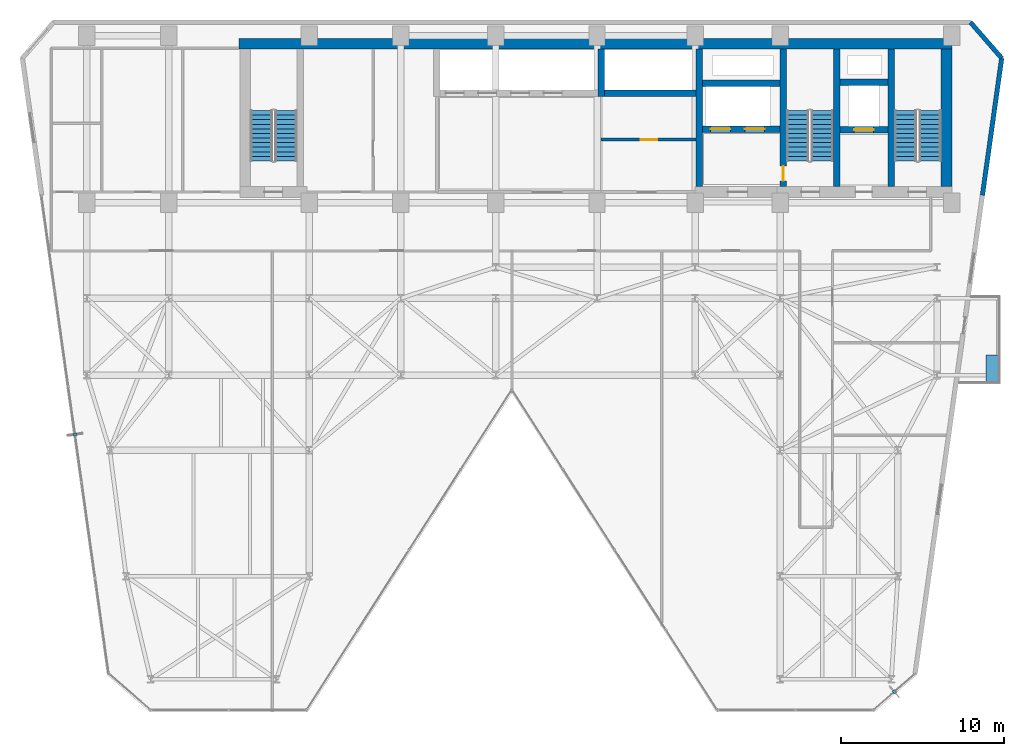
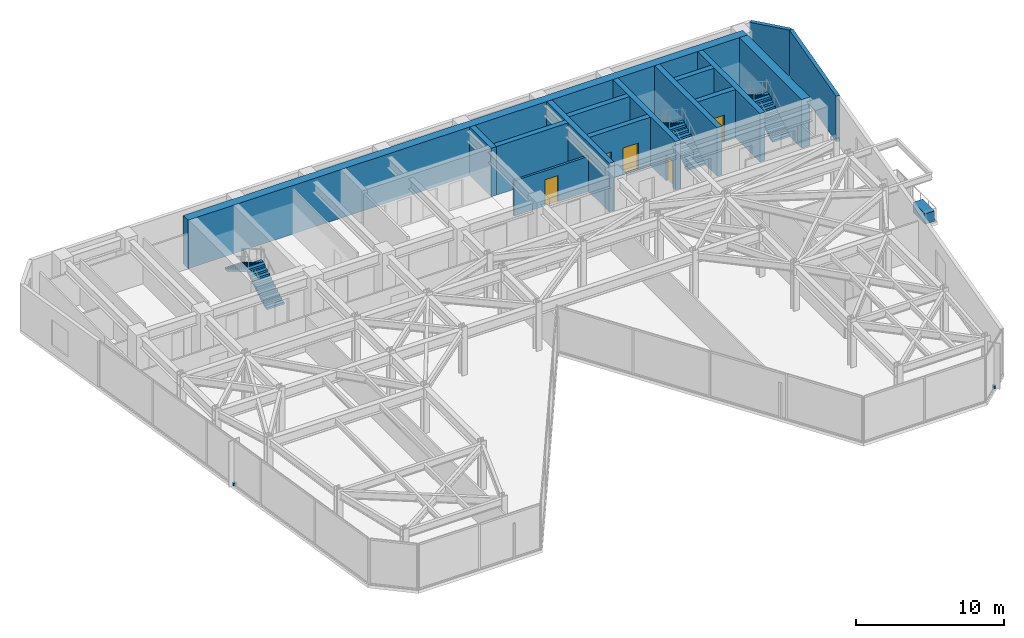
# One storey, part 23 of 26: 15 walls, 6 stair flights, 5 doors, 3 discrete accessories, 5 openings, 3 elements without a shape of their own.
"""IFC4 building model written with IfcOpenShell, lengths in metres."""

from ifc_helpers import new_model, si_unit, direction, frame, frame_2d, origin, origin_2d, place, context, subcontext, project, spatial, polyline, rectangle, outline, extrude, material, layer, layer_set, type_object, element, fill, aggregate, save


model = new_model("IFC4")

# Units and contexts
model_context = context("Model", 3, precision=1e-05, world=origin(), true_north=direction((0.0, 1.0)))
body_context = subcontext(model_context, "Body", "Model", "MODEL_VIEW")
ifc_project = project(units=[si_unit("LENGTHUNIT", "METRE"), si_unit("AREAUNIT", "SQUARE_METRE"), si_unit("VOLUMEUNIT", "CUBIC_METRE"), si_unit("PLANEANGLEUNIT", "RADIAN"), si_unit("MASSUNIT", "GRAM", prefix="KILO")], contexts=[model_context])

# Site, building, storey
site_placement = place(None, origin())
site = spatial("IfcSite", under=ifc_project, at=site_placement, CompositionType="ELEMENT")
building_placement = place(site_placement, origin())
building = spatial("IfcBuilding", under=site, at=building_placement, Name="Kravanh Interchange Tower", CompositionType="ELEMENT")
storey_placement = place(building_placement, frame((0.0, 0.0, 108.0)))
storey = spatial("IfcBuildingStorey", under=building, at=storey_placement, Name="L25", CompositionType="ELEMENT", Elevation=108.0)

# Walls
ifc_material_1 = material(Name="Concrete C70/85", Category="concrete")
ifc_layer_1 = layer(ifc_material_1, 0.64990234375)
ifc_layer_set_1 = layer_set([ifc_layer_1], Name="Core Shear Wall Concrete C70/85 650mm")
wall_type_1 = type_object("IfcWallType", Name="Core Shear Wall Concrete C70/85 650mm", PredefinedType="SHEAR", material=ifc_layer_set_1)
wall_1_placement = place(storey_placement, frame((22.89990234375, 47.074951171875, 0.0), z_axis=(0.0, 0.0, 1.0), x_axis=(1.0, 0.0, 0.0)))
element("IfcWall", 1, at=wall_1_placement, inside=storey, type_object=wall_type_1, Name="L25 North Core Shear Wall", PredefinedType="SHEAR", context=body_context, shape_type="SweptSolid", body=[
    extrude(rectangle(XDim=43.60009765625, YDim=0.64990234375, at=frame_2d((21.800048828125, 0.0))), origin(), (0.0, 0.0, 1.0), 4.0),
])
wall_2_placement = place(storey_placement, frame((66.175048828125, 38.324951171875, 0.0), z_axis=(0.0, 0.0, 1.0), x_axis=(0.0, 1.0, 0.0)))
element("IfcWall", 2, at=wall_2_placement, inside=storey, type_object=wall_type_1, Name="L25 Stair ST1 East Shear Wall", PredefinedType="SHEAR", context=body_context, shape_type="SweptSolid", body=[
    extrude(rectangle(XDim=8.425048828125, YDim=0.64990234375, at=frame_2d((4.21240234375, 0.0))), origin(), (0.0, 0.0, 1.0), 4.0),
])
ifc_material_2 = material(Name="Concrete C80/95", Category="concrete")
ifc_layer_2 = layer(ifc_material_2, 0.39990234375)
ifc_layer_set_2 = layer_set([ifc_layer_2], Name="Core Shear Wall Concrete C80/95 400mm")
wall_type_2 = type_object("IfcWallType", Name="Core Shear Wall Concrete C80/95 400mm", PredefinedType="SHEAR", material=ifc_layer_set_2)
for number, where, z_axis, x_axis, name in (
    (3, (62.800048828125, 38.324951171875, 0.0), (0.0, 0.0, 1.0), (0.0, 1.0, 0.0), "L25 Stair ST1 West Shear Wall"),
    (4, (59.449951171875, 38.324951171875, 0.0), (0.0, 0.0, 1.0), (0.0, 1.0, 0.0), "L25 Stair ST2 East Shear Wall"),
):
    element("IfcWall", number, at=place(storey_placement, frame(where, z_axis=z_axis, x_axis=x_axis)), inside=storey, type_object=wall_type_2, Name=name, PredefinedType="SHEAR", context=body_context, shape_type="SweptSolid", body=[
        extrude(rectangle(XDim=8.425048828125, YDim=0.39990234375, at=frame_2d((4.21240234375, 0.0))), origin(), (0.0, 0.0, 1.0), 4.0),
    ])

# Wall, opening, door
wall_3_placement = place(storey_placement, frame((56.199951171875, 38.324951171875, 0.0), z_axis=(0.0, 0.0, 1.0), x_axis=(0.0, 1.0, 0.0)))
wall_3 = element("IfcWall", 5, at=wall_3_placement, inside=storey, type_object=wall_type_2, Name="L25 Stair ST2 West Shear Wall", PredefinedType="SHEAR", context=body_context, shape_type="SweptSolid", body=[
    extrude(rectangle(XDim=8.425048828125, YDim=0.39990234375, at=frame_2d((4.21240234375, 0.0))), origin(), (0.0, 0.0, 1.0), 4.0),
])
opening_1_placement = place(wall_3_placement, frame((0.35498046875, 0.0, 0.0)))
opening_1 = element("IfcOpeningElement", 6, at=opening_1_placement, cuts=wall_3, Name="Opening D-STAIR-90", PredefinedType="OPENING", context=body_context, shape_type="SweptSolid", body=[
    extrude(rectangle(XDim=0.89990234375, YDim=2.14990234375, at=frame_2d((0.449951171875, 1.074951171875))), frame((0.0, 0.2099609375, 0.0), z_axis=(0.0, -1.0, 0.0), x_axis=(1.0, 0.0, 0.0)), (0.0, 0.0, 1.0), 0.419921875),
])
ifc_material_3 = material(Name="Structural Steel S355", Category="steel")
door_type_1 = type_object("IfcDoorType", Name="Fire-Rated Stair Lobby Door 900x2150", OperationType="NOTDEFINED", PredefinedType="DOOR", material=ifc_material_3)
door_1_placement = place(opening_1_placement, origin())
door_1 = element("IfcDoor", 7, at=door_1_placement, inside=storey, type_object=door_type_1, Name="L25 Firefighting Lobby to Stair ST2 Door", OperationType="SINGLE_SWING_LEFT", OverallHeight=2.14990234375, OverallWidth=0.89990234375, PredefinedType="DOOR", context=body_context, shape_type="SweptSolid", body=[
    extrude(rectangle(XDim=0.89990234375, YDim=2.14990234375, at=frame_2d((0.449951171875, 1.074951171875))), frame((0.0, 0.02490234375, 0.0), z_axis=(0.0, -1.0, 0.0), x_axis=(1.0, 0.0, 0.0)), (0.0, 0.0, 1.0), 0.050048828125),
])
fill(opening_1, door_1)

wall_4_placement = place(storey_placement, frame((59.64990234375, 41.800048828125, 0.0), z_axis=(0.0, 0.0, 1.0), x_axis=(1.0, 0.0, 0.0)))
wall_4 = element("IfcWall", 8, at=wall_4_placement, inside=storey, type_object=wall_type_2, Name="L25 Service Lift Shaft South Wall", PredefinedType="SHEAR", context=body_context, shape_type="SweptSolid", body=[
    extrude(rectangle(XDim=2.9501953125, YDim=0.39990234375, at=frame_2d((1.47509765625, 0.0))), origin(), (0.0, 0.0, 1.0), 4.0),
])
opening_2_placement = place(wall_4_placement, frame((0.8701171875, 0.0, 0.0)))
opening_2 = element("IfcOpeningElement", 9, at=opening_2_placement, cuts=wall_4, Name="Opening LD02", PredefinedType="OPENING", context=body_context, shape_type="SweptSolid", body=[
    extrude(rectangle(XDim=1.199951171875, YDim=2.199951171875, at=frame_2d((0.60009765625, 1.10009765625))), frame((0.0, 0.2099609375, 0.0), z_axis=(0.0, -1.0, 0.0), x_axis=(1.0, 0.0, 0.0)), (0.0, 0.0, 1.0), 0.419921875),
])
ifc_material_4 = material(Name="Stainless Steel 316", Category="steel")
door_type_2 = type_object("IfcDoorType", Name="Fire and Service Lift Sliding Landing Door 1200x2200", OperationType="DOUBLE_DOOR_SLIDING", PredefinedType="DOOR", material=ifc_material_4)
door_2_placement = place(opening_2_placement, origin())
door_2 = element("IfcDoor", 10, at=door_2_placement, inside=storey, type_object=door_type_2, Name="L25 Lift LS-01 Landing Door", OperationType="DOUBLE_DOOR_SLIDING", OverallHeight=2.199951171875, OverallWidth=1.199951171875, PredefinedType="DOOR", context=body_context, shape_type="SweptSolid", body=[
    extrude(rectangle(XDim=1.199951171875, YDim=2.199951171875, at=frame_2d((0.60009765625, 1.10009765625))), frame((0.0, 0.02490234375, 0.0), z_axis=(0.0, -1.0, 0.0), x_axis=(1.0, 0.0, 0.0)), (0.0, 0.0, 1.0), 0.050048828125),
])
fill(opening_2, door_2)

# Wall
wall_5_placement = place(storey_placement, frame((59.64990234375, 44.699951171875, 0.0), z_axis=(0.0, 0.0, 1.0), x_axis=(1.0, 0.0, 0.0)))
element("IfcWall", 11, at=wall_5_placement, inside=storey, type_object=wall_type_2, Name="L25 Service Lift Shaft North Wall", PredefinedType="SHEAR", context=body_context, shape_type="SweptSolid", body=[
    extrude(rectangle(XDim=2.9501953125, YDim=0.39990234375, at=frame_2d((1.47509765625, 0.0))), origin(), (0.0, 0.0, 1.0), 4.0),
])

# Wall, openings, doors
wall_6_placement = place(storey_placement, frame((51.25, 41.85009765625, 0.0), z_axis=(0.0, 0.0, 1.0), x_axis=(1.0, 0.0, 0.0)))
wall_6 = element("IfcWall", 12, at=wall_6_placement, inside=storey, type_object=wall_type_2, Name="L25 Fire Lift Shaft South Wall", PredefinedType="SHEAR", context=body_context, shape_type="SweptSolid", body=[
    extrude(rectangle(XDim=4.75, YDim=0.39990234375, at=frame_2d((2.375, 0.0))), origin(), (0.0, 0.0, 1.0), 4.0),
])
opening_3_placement = place(wall_6_placement, frame((0.5, 0.0, 0.0)))
opening_3 = element("IfcOpeningElement", 13, at=opening_3_placement, cuts=wall_6, Name="Opening LD02", PredefinedType="OPENING", context=body_context, shape_type="SweptSolid", body=[
    extrude(rectangle(XDim=1.199951171875, YDim=2.199951171875, at=frame_2d((0.60009765625, 1.10009765625))), frame((0.0, 0.2099609375, 0.0), z_axis=(0.0, -1.0, 0.0), x_axis=(1.0, 0.0, 0.0)), (0.0, 0.0, 1.0), 0.419921875),
])
opening_4_placement = place(wall_6_placement, frame((2.60009765625, 0.0, 0.0)))
opening_4 = element("IfcOpeningElement", 14, at=opening_4_placement, cuts=wall_6, Name="Opening LD02", PredefinedType="OPENING", context=body_context, shape_type="SweptSolid", body=[
    extrude(rectangle(XDim=1.199951171875, YDim=2.199951171875, at=frame_2d((0.60009765625, 1.10009765625))), frame((0.0, 0.2099609375, 0.0), z_axis=(0.0, -1.0, 0.0), x_axis=(1.0, 0.0, 0.0)), (0.0, 0.0, 1.0), 0.419921875),
])
door_3_placement = place(opening_3_placement, origin())
door_3 = element("IfcDoor", 15, at=door_3_placement, inside=storey, type_object=door_type_2, Name="L25 Lift FSAE-01 Landing Door", OperationType="DOUBLE_DOOR_SLIDING", OverallHeight=2.199951171875, OverallWidth=1.199951171875, PredefinedType="DOOR", context=body_context, shape_type="SweptSolid", body=[
    extrude(rectangle(XDim=1.199951171875, YDim=2.199951171875, at=frame_2d((0.60009765625, 1.10009765625))), frame((0.0, 0.02490234375, 0.0), z_axis=(0.0, -1.0, 0.0), x_axis=(1.0, 0.0, 0.0)), (0.0, 0.0, 1.0), 0.050048828125),
])
fill(opening_3, door_3)
door_4_placement = place(opening_4_placement, origin())
door_4 = element("IfcDoor", 16, at=door_4_placement, inside=storey, type_object=door_type_2, Name="L25 Lift FSAE-02 Landing Door", OperationType="DOUBLE_DOOR_SLIDING", OverallHeight=2.199951171875, OverallWidth=1.199951171875, PredefinedType="DOOR", context=body_context, shape_type="SweptSolid", body=[
    extrude(rectangle(XDim=1.199951171875, YDim=2.199951171875, at=frame_2d((0.60009765625, 1.10009765625))), frame((0.0, 0.02490234375, 0.0), z_axis=(0.0, -1.0, 0.0), x_axis=(1.0, 0.0, 0.0)), (0.0, 0.0, 1.0), 0.050048828125),
])
fill(opening_4, door_4)

# Walls
wall_7_placement = place(storey_placement, frame((51.25, 44.64990234375, 0.0), z_axis=(0.0, 0.0, 1.0), x_axis=(1.0, 0.0, 0.0)))
element("IfcWall", 17, at=wall_7_placement, inside=storey, type_object=wall_type_2, Name="L25 Fire Lift Shaft North Wall", PredefinedType="SHEAR", context=body_context, shape_type="SweptSolid", body=[
    extrude(rectangle(XDim=4.75, YDim=0.39990234375, at=frame_2d((2.375, 0.0))), origin(), (0.0, 0.0, 1.0), 4.0),
])
wall_8_placement = place(storey_placement, frame((51.050048828125, 38.324951171875, 0.0), z_axis=(0.0, 0.0, 1.0), x_axis=(0.0, 1.0, 0.0)))
element("IfcWall", 18, at=wall_8_placement, inside=storey, type_object=wall_type_2, Name="L25 Firefighting Lobby West Wall", PredefinedType="SHEAR", context=body_context, shape_type="SweptSolid", body=[
    extrude(rectangle(XDim=8.425048828125, YDim=0.39990234375, at=frame_2d((4.21240234375, 0.0))), origin(), (0.0, 0.0, 1.0), 4.0),
])
wall_9_placement = place(storey_placement, frame((45.25, 44.050048828125, 0.0), z_axis=(0.0, 0.0, 1.0), x_axis=(1.0, 0.0, 0.0)))
element("IfcWall", 19, at=wall_9_placement, inside=storey, type_object=wall_type_2, Name="L25 High-Rise Lift Shaft South Wall", PredefinedType="SHEAR", context=body_context, shape_type="SweptSolid", body=[
    extrude(rectangle(XDim=5.60009765625, YDim=0.39990234375, at=frame_2d((2.800048828125, 0.0))), origin(), (0.0, 0.0, 1.0), 4.0),
])
wall_10_placement = place(storey_placement, frame((45.050048828125, 43.85009765625, 0.0), z_axis=(0.0, 0.0, 1.0), x_axis=(0.0, 1.0, 0.0)))
element("IfcWall", 20, at=wall_10_placement, inside=storey, type_object=wall_type_2, Name="L25 High-Rise Lift Shaft West Wall", PredefinedType="SHEAR", context=body_context, shape_type="SweptSolid", body=[
    extrude(rectangle(XDim=2.89990234375, YDim=0.39990234375, at=frame_2d((1.449951171875, 0.0))), origin(), (0.0, 0.0, 1.0), 4.0),
])
ifc_material_5 = material(Name="Insulated Precast Concrete C40/50 with Bronze Cladding", Category="concrete")
ifc_layer_3 = layer(ifc_material_5, 0.280029296875)
ifc_layer_set_3 = layer_set([ifc_layer_3], Name="Exterior Insulated Concrete C40/50 Bronze Spandrel Wall 280mm")
wall_type_3 = type_object("IfcWallType", Name="Exterior Insulated Concrete C40/50 Bronze Spandrel Wall 280mm", PredefinedType="STANDARD", material=ifc_layer_set_3)
wall_11_placement = place(storey_placement, frame((67.645263671875, 48.3798828125, 0.0), z_axis=(0.0, 0.0, 1.0), x_axis=(0.656070644076, -0.754699483226, 0.0)))
element("IfcWall", 21, at=wall_11_placement, inside=storey, type_object=wall_type_3, Name="L25 Exterior Wall 4", PredefinedType="STANDARD", context=body_context, shape_type="SweptSolid", body=[
    extrude(rectangle(XDim=2.908447265625, YDim=0.280029296875, at=frame_2d((1.4541015625, 0.0))), origin(), (0.0, 0.0, 1.0), 3.75),
])
wall_12_placement = place(storey_placement, frame((69.553466796875, 46.184814453125, 0.0), z_axis=(0.0, 0.0, 1.0), x_axis=(-0.139180610108, -0.990267013371, 0.0)))
element("IfcWall", 22, at=wall_12_placement, inside=storey, type_object=wall_type_3, Name="L25 Exterior Wall 5", PredefinedType="STANDARD", context=body_context, shape_type="SweptSolid", body=[
    extrude(rectangle(XDim=8.46728515625, YDim=0.280029296875, at=frame_2d((4.233642578125, 0.0))), origin(), (0.0, 0.0, 1.0), 3.75),
])

# Wall, opening, door
ifc_material_6 = material(Name="Autoclaved Aerated Concrete C30/37 Blockwork", Category="masonry")
ifc_layer_4 = layer(ifc_material_6, 0.179931640625)
ifc_layer_set_4 = layer_set([ifc_layer_4], Name="Fire-Rated Lobby and Corridor Wall Concrete C30/37 180mm")
wall_type_4 = type_object("IfcWallType", Name="Fire-Rated Lobby and Corridor Wall Concrete C30/37 180mm", PredefinedType="STANDARD", material=ifc_layer_set_4)
wall_13_placement = place(storey_placement, frame((45.050048828125, 41.199951171875, 0.0), z_axis=(0.0, 0.0, 1.0), x_axis=(1.0, 0.0, 0.0)))
wall_13 = element("IfcWall", 23, at=wall_13_placement, inside=storey, type_object=wall_type_4, Name="L25 Interior Partition 2", PredefinedType="STANDARD", context=body_context, shape_type="SweptSolid", body=[
    extrude(rectangle(XDim=5.7919921875, YDim=0.179931640625, at=frame_2d((2.89599609375, 0.0))), origin(), (0.0, 0.0, 1.0), 2.89404296875),
])
opening_5_placement = place(wall_13_placement, frame((2.425048828125, 0.0, 0.0)))
opening_5 = element("IfcOpeningElement", 24, at=opening_5_placement, cuts=wall_13, Name="Opening D-HOTEL-100", PredefinedType="OPENING", context=body_context, shape_type="SweptSolid", body=[
    extrude(rectangle(XDim=1.0, YDim=2.14990234375, at=frame_2d((0.5, 1.074951171875))), frame((0.0, 0.10009765625, 0.0), z_axis=(0.0, -1.0, 0.0), x_axis=(1.0, 0.0, 0.0)), (0.0, 0.0, 1.0), 0.199951171875),
])
ifc_material_7 = material(Name="Fire-Rated Solid Timber Leaf", Category="wood")
door_type_3 = type_object("IfcDoorType", Name="Fire-Rated Suite Entrance Door 1000x2150", OperationType="NOTDEFINED", PredefinedType="DOOR", material=ifc_material_7)
door_5_placement = place(opening_5_placement, origin())
door_5 = element("IfcDoor", 25, at=door_5_placement, inside=storey, type_object=door_type_3, Name="L25 Core Telecom Inner Door", OperationType="SINGLE_SWING_RIGHT", OverallHeight=2.14990234375, OverallWidth=1.0, PredefinedType="DOOR", context=body_context, shape_type="SweptSolid", body=[
    extrude(rectangle(XDim=1.0, YDim=2.14990234375, at=frame_2d((0.5, 1.074951171875))), frame((0.0, 0.02490234375, 0.0), z_axis=(0.0, -1.0, 0.0), x_axis=(1.0, 0.0, 0.0)), (0.0, 0.0, 1.0), 0.050048828125),
])
fill(opening_5, door_5)

# Stair, stair flights
ifc_material_8 = material(Name="Concrete C50/60", Category="concrete")
stair_type = type_object("IfcStairType", Name="Core Fire Exit Dogleg Stair Concrete C50/60", PredefinedType="HALF_TURN_STAIR", material=ifc_material_8)
stair_1_placement = place(storey_placement, origin())
stair_1 = element("IfcStair", 26, at=stair_1_placement, inside=storey, type_object=stair_type, Name="L25 Exit Stair ST1", PredefinedType="HALF_TURN_STAIR")
ifc_material_9 = material(Name="Precast Concrete C50/60", Category="concrete")
ifc_layer_5 = layer(ifc_material_9, 0.199951171875)
ifc_layer_set_5 = layer_set([ifc_layer_5], Name="Precast Concrete C50/60 Stair Flight 1350mm")
stair_flight_type = type_object("IfcStairFlightType", Name="Precast Concrete C50/60 Stair Flight 1350mm", PredefinedType="STRAIGHT", material=ifc_layer_set_5)
stair_flight_1_placement = place(storey_placement, frame((65.175048828125, 39.89990234375, 0.0), z_axis=(0.0, 0.0, 1.0), x_axis=(0.0, 1.0, 0.0)))
stair_flight_1 = element("IfcStairFlight", 27, at=stair_flight_1_placement, type_object=stair_flight_type, Name="ST1 flight 1", NumberOfRisers=12, NumberOfTreads=11, PredefinedType="STRAIGHT", RiserHeight=0.166666667, TreadLength=0.28, context=body_context, shape_type="SweptSolid", body=[
    extrude(outline(polyline([(0.0, 0.0), (0.0, 0.166748046875), (0.280029296875, 0.166748046875), (0.280029296875, 0.333251953125), (0.56005859375, 0.333251953125), (0.56005859375, 0.5), (0.840087890625, 0.5), (0.840087890625, 0.666748046875), (1.1201171875, 0.666748046875), (1.1201171875, 0.833251953125), (1.39990234375, 0.833251953125), (1.39990234375, 1.0), (1.679931640625, 1.0), (1.679931640625, 1.166748046875), (1.9599609375, 1.166748046875), (1.9599609375, 1.333251953125), (2.239990234375, 1.333251953125), (2.239990234375, 1.5), (2.52001953125, 1.5), (2.52001953125, 1.666748046875), (2.800048828125, 1.666748046875), (2.800048828125, 1.833251953125), (3.080078125, 1.833251953125), (3.080078125, 2.0), (3.080078125, 1.658935546875), (0.29296875, 0.0), (0.0, 0.0)])), frame((0.0, 0.675048828125, 0.0), z_axis=(0.0, -1.0, 0.0), x_axis=(1.0, 0.0, 0.0)), (0.0, 0.0, 1.0), 1.35009765625),
])
stair_flight_2_placement = place(storey_placement, frame((63.675048828125, 42.97998046875, 2.0), z_axis=(0.0, 0.0, 1.0), x_axis=(0.0, -1.0, 0.0)))
stair_flight_2 = element("IfcStairFlight", 28, at=stair_flight_2_placement, type_object=stair_flight_type, Name="ST1 flight 2", NumberOfRisers=12, NumberOfTreads=11, PredefinedType="STRAIGHT", RiserHeight=0.166666667, TreadLength=0.28, context=body_context, shape_type="SweptSolid", body=[
    extrude(outline(polyline([(0.0, 0.0), (0.0, 0.166748046875), (0.280029296875, 0.166748046875), (0.280029296875, 0.333251953125), (0.56005859375, 0.333251953125), (0.56005859375, 0.5), (0.840087890625, 0.5), (0.840087890625, 0.666748046875), (1.1201171875, 0.666748046875), (1.1201171875, 0.833251953125), (1.39990234375, 0.833251953125), (1.39990234375, 1.0), (1.679931640625, 1.0), (1.679931640625, 1.166748046875), (1.9599609375, 1.166748046875), (1.9599609375, 1.333251953125), (2.239990234375, 1.333251953125), (2.239990234375, 1.5), (2.52001953125, 1.5), (2.52001953125, 1.666748046875), (2.800048828125, 1.666748046875), (2.800048828125, 1.833251953125), (3.080078125, 1.833251953125), (3.080078125, 2.0), (3.080078125, 1.658935546875), (0.29296875, 0.0), (0.0, 0.0)])), frame((0.0, 0.675048828125, 0.0), z_axis=(0.0, -1.0, 0.0), x_axis=(1.0, 0.0, 0.0)), (0.0, 0.0, 1.0), 1.35009765625),
])
aggregate(stair_1, [stair_flight_1, stair_flight_2])

stair_2_placement = place(storey_placement, origin())
stair_2 = element("IfcStair", 29, at=stair_2_placement, inside=storey, type_object=stair_type, Name="L25 Exit Stair ST2", PredefinedType="HALF_TURN_STAIR")
stair_flight_3_placement = place(storey_placement, frame((58.574951171875, 39.89990234375, 0.0), z_axis=(0.0, 0.0, 1.0), x_axis=(0.0, 1.0, 0.0)))
stair_flight_3 = element("IfcStairFlight", 30, at=stair_flight_3_placement, type_object=stair_flight_type, Name="ST2 flight 1", NumberOfRisers=12, NumberOfTreads=11, PredefinedType="STRAIGHT", RiserHeight=0.166666667, TreadLength=0.28, context=body_context, shape_type="SweptSolid", body=[
    extrude(outline(polyline([(0.0, 0.0), (0.0, 0.166748046875), (0.280029296875, 0.166748046875), (0.280029296875, 0.333251953125), (0.56005859375, 0.333251953125), (0.56005859375, 0.5), (0.840087890625, 0.5), (0.840087890625, 0.666748046875), (1.1201171875, 0.666748046875), (1.1201171875, 0.833251953125), (1.39990234375, 0.833251953125), (1.39990234375, 1.0), (1.679931640625, 1.0), (1.679931640625, 1.166748046875), (1.9599609375, 1.166748046875), (1.9599609375, 1.333251953125), (2.239990234375, 1.333251953125), (2.239990234375, 1.5), (2.52001953125, 1.5), (2.52001953125, 1.666748046875), (2.800048828125, 1.666748046875), (2.800048828125, 1.833251953125), (3.080078125, 1.833251953125), (3.080078125, 2.0), (3.080078125, 1.658935546875), (0.29296875, 0.0), (0.0, 0.0)])), frame((0.0, 0.675048828125, 0.0), z_axis=(0.0, -1.0, 0.0), x_axis=(1.0, 0.0, 0.0)), (0.0, 0.0, 1.0), 1.35009765625),
])
stair_flight_4_placement = place(storey_placement, frame((57.074951171875, 42.97998046875, 2.0), z_axis=(0.0, 0.0, 1.0), x_axis=(0.0, -1.0, 0.0)))
stair_flight_4 = element("IfcStairFlight", 31, at=stair_flight_4_placement, type_object=stair_flight_type, Name="ST2 flight 2", NumberOfRisers=12, NumberOfTreads=11, PredefinedType="STRAIGHT", RiserHeight=0.166666667, TreadLength=0.28, context=body_context, shape_type="SweptSolid", body=[
    extrude(outline(polyline([(0.0, 0.0), (0.0, 0.166748046875), (0.280029296875, 0.166748046875), (0.280029296875, 0.333251953125), (0.56005859375, 0.333251953125), (0.56005859375, 0.5), (0.840087890625, 0.5), (0.840087890625, 0.666748046875), (1.1201171875, 0.666748046875), (1.1201171875, 0.833251953125), (1.39990234375, 0.833251953125), (1.39990234375, 1.0), (1.679931640625, 1.0), (1.679931640625, 1.166748046875), (1.9599609375, 1.166748046875), (1.9599609375, 1.333251953125), (2.239990234375, 1.333251953125), (2.239990234375, 1.5), (2.52001953125, 1.5), (2.52001953125, 1.666748046875), (2.800048828125, 1.666748046875), (2.800048828125, 1.833251953125), (3.080078125, 1.833251953125), (3.080078125, 2.0), (3.080078125, 1.658935546875), (0.29296875, 0.0), (0.0, 0.0)])), frame((0.0, 0.675048828125, 0.0), z_axis=(0.0, -1.0, 0.0), x_axis=(1.0, 0.0, 0.0)), (0.0, 0.0, 1.0), 1.35009765625),
])
aggregate(stair_2, [stair_flight_3, stair_flight_4])

stair_3_placement = place(storey_placement, origin())
stair_3 = element("IfcStair", 32, at=stair_3_placement, inside=storey, type_object=stair_type, Name="L25 Exit Stair ST3", PredefinedType="HALF_TURN_STAIR")
stair_flight_5_placement = place(storey_placement, frame((25.77490234375, 39.89990234375, 0.0), z_axis=(0.0, 0.0, 1.0), x_axis=(0.0, 1.0, 0.0)))
stair_flight_5 = element("IfcStairFlight", 33, at=stair_flight_5_placement, type_object=stair_flight_type, Name="ST3 flight 1", NumberOfRisers=12, NumberOfTreads=11, PredefinedType="STRAIGHT", RiserHeight=0.166666667, TreadLength=0.28, context=body_context, shape_type="SweptSolid", body=[
    extrude(outline(polyline([(0.0, 0.0), (0.0, 0.166748046875), (0.280029296875, 0.166748046875), (0.280029296875, 0.333251953125), (0.56005859375, 0.333251953125), (0.56005859375, 0.5), (0.840087890625, 0.5), (0.840087890625, 0.666748046875), (1.1201171875, 0.666748046875), (1.1201171875, 0.833251953125), (1.39990234375, 0.833251953125), (1.39990234375, 1.0), (1.679931640625, 1.0), (1.679931640625, 1.166748046875), (1.9599609375, 1.166748046875), (1.9599609375, 1.333251953125), (2.239990234375, 1.333251953125), (2.239990234375, 1.5), (2.52001953125, 1.5), (2.52001953125, 1.666748046875), (2.800048828125, 1.666748046875), (2.800048828125, 1.833251953125), (3.080078125, 1.833251953125), (3.080078125, 2.0), (3.080078125, 1.658935546875), (0.29296875, 0.0), (0.0, 0.0)])), frame((0.0, 0.675048828125, 0.0), z_axis=(0.0, -1.0, 0.0), x_axis=(1.0, 0.0, 0.0)), (0.0, 0.0, 1.0), 1.35009765625),
])
stair_flight_6_placement = place(storey_placement, frame((24.27490234375, 42.97998046875, 2.0), z_axis=(0.0, 0.0, 1.0), x_axis=(0.0, -1.0, 0.0)))
stair_flight_6 = element("IfcStairFlight", 34, at=stair_flight_6_placement, type_object=stair_flight_type, Name="ST3 flight 2", NumberOfRisers=12, NumberOfTreads=11, PredefinedType="STRAIGHT", RiserHeight=0.166666667, TreadLength=0.28, context=body_context, shape_type="SweptSolid", body=[
    extrude(outline(polyline([(0.0, 0.0), (0.0, 0.166748046875), (0.280029296875, 0.166748046875), (0.280029296875, 0.333251953125), (0.56005859375, 0.333251953125), (0.56005859375, 0.5), (0.840087890625, 0.5), (0.840087890625, 0.666748046875), (1.1201171875, 0.666748046875), (1.1201171875, 0.833251953125), (1.39990234375, 0.833251953125), (1.39990234375, 1.0), (1.679931640625, 1.0), (1.679931640625, 1.166748046875), (1.9599609375, 1.166748046875), (1.9599609375, 1.333251953125), (2.239990234375, 1.333251953125), (2.239990234375, 1.5), (2.52001953125, 1.5), (2.52001953125, 1.666748046875), (2.800048828125, 1.666748046875), (2.800048828125, 1.833251953125), (3.080078125, 1.833251953125), (3.080078125, 2.0), (3.080078125, 1.658935546875), (0.29296875, 0.0), (0.0, 0.0)])), frame((0.0, 0.675048828125, 0.0), z_axis=(0.0, -1.0, 0.0), x_axis=(1.0, 0.0, 0.0)), (0.0, 0.0, 1.0), 1.35009765625),
])
aggregate(stair_3, [stair_flight_5, stair_flight_6])

# Discrete accessories
ifc_material_10 = material(Name="Stainless Steel 316", Category="steel")
discrete_accessory_type_1 = type_object("IfcDiscreteAccessoryType", Name="Solar Fin Curtain-Wall Mounting Bracket Stainless 316", PredefinedType="BRACKET", material=ifc_material_10)
for number, where, z_axis, x_axis, name in (
    (35, (12.881103515625, 23.16943359375, 0.0), (0.0, 0.0, 1.0), (-0.990268017027, -0.139173468924, 0.0), "L25 Solar Fin Mounting Bracket 1"),
    (36, (62.986328125, 7.429443359375, 0.0), (0.0, 0.0, 1.0), (0.656056045951, -0.754712173329, 0.0), "L25 Solar Fin Mounting Bracket 2"),
):
    element("IfcDiscreteAccessory", number, at=place(storey_placement, frame(where, z_axis=z_axis, x_axis=x_axis)), inside=storey, type_object=discrete_accessory_type_1, Name=name, PredefinedType="BRACKET", context=body_context, shape_type="SweptSolid", body=[
        extrude(rectangle(XDim=0.239990234375, YDim=0.179931640625, at=origin_2d()), origin(), (0.0, 0.0, 1.0), 0.219970703125),
    ])
ifc_material_11 = material(Name="Architectural GRC Concrete C40/50 with Root Barrier", Category="concrete")
discrete_accessory_type_2 = type_object("IfcDiscreteAccessoryType", Name="Structural Balcony Tree Planter Box Concrete C40/50 1600x750x850", PredefinedType="USERDEFINED", material=ifc_material_11)
discrete_accessory_placement = place(storey_placement, frame((68.965087890625, 27.219970703125, 0.0), z_axis=(0.0, 0.0, 1.0), x_axis=(1.0, 0.0, 0.0)))
element("IfcDiscreteAccessory", 37, at=discrete_accessory_placement, inside=storey, type_object=discrete_accessory_type_2, Name="L25 E Balcony TREE PLANTER", ObjectType="PLANTER", PredefinedType="USERDEFINED", context=body_context, shape_type="SweptSolid", body=[
    extrude(rectangle(XDim=0.75, YDim=1.60009765625, at=origin_2d()), origin(), (0.0, 0.0, 1.0), 0.85009765625),
])

save(model, "model.ifc")
